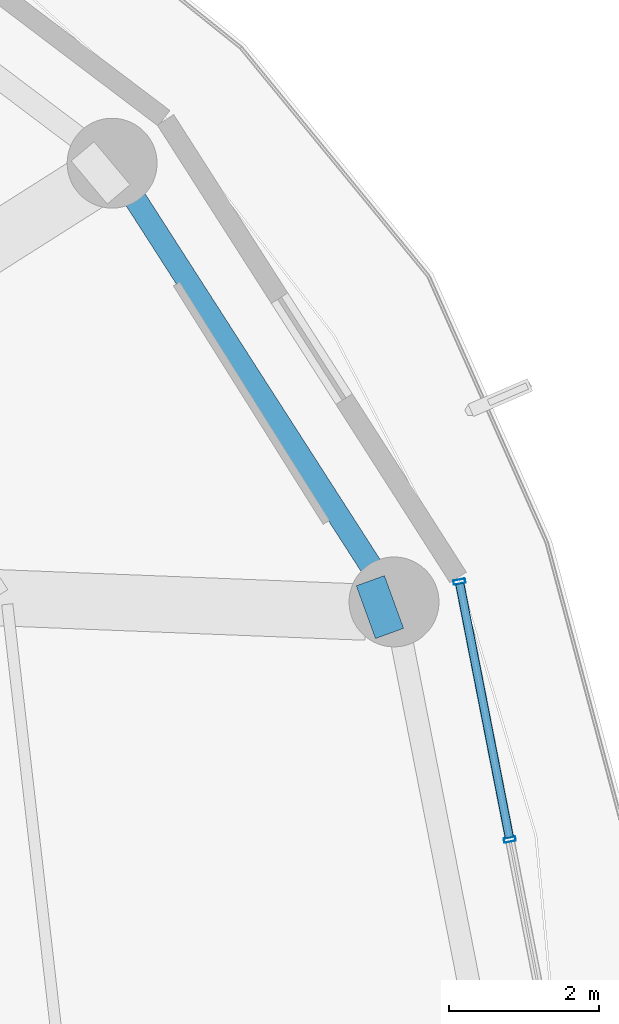
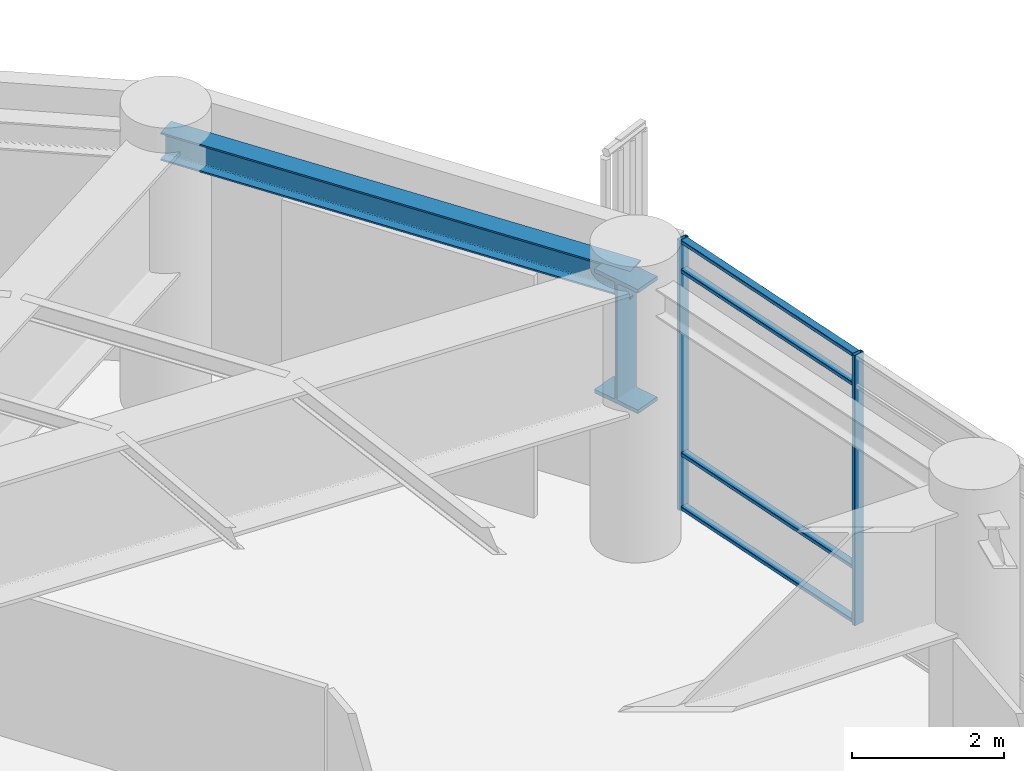
# One storey, part 15 of 28: 6 members, 2 beams, 1 element without a shape of its own.
"""IFC4 building model written with IfcOpenShell, lengths in metres."""

from ifc_helpers import new_model, si_unit, direction, frame, origin, origin_2d, place, context, subcontext, project, spatial, hollow_rectangle, i_section, extrude, material, layer, layer_set, material_profile, profile_set, type_object, element, aggregate, save


model = new_model("IFC4")

# Units and contexts
model_context = context("Model", 3, precision=1e-05, world=origin(), true_north=direction((0.0, 1.0)))
body_context = subcontext(model_context, "Body", "Model", "MODEL_VIEW")
ifc_project = project(units=[si_unit("LENGTHUNIT", "METRE"), si_unit("AREAUNIT", "SQUARE_METRE"), si_unit("VOLUMEUNIT", "CUBIC_METRE"), si_unit("PLANEANGLEUNIT", "RADIAN"), si_unit("MASSUNIT", "GRAM", prefix="KILO")], contexts=[model_context])

# Site, building, storey
site_placement = place(None, origin())
site = spatial("IfcSite", under=ifc_project, at=site_placement, CompositionType="ELEMENT")
building_placement = place(site_placement, origin())
building = spatial("IfcBuilding", under=site, at=building_placement, Name="Kelanora Arch Commons", CompositionType="ELEMENT")
storey_placement = place(building_placement, frame((0.0, 0.0, 184.35009765625)))
storey = spatial("IfcBuildingStorey", under=building, at=storey_placement, Name="L47", CompositionType="ELEMENT", Elevation=184.35009765625)

# Beams
ifc_material_1 = material(Name="Steel S355", Category="steel")
ifc_material_profile_1 = material_profile(ifc_material_1, i_section(OverallWidth=0.300048828125, OverallDepth=0.449951171875, WebThickness=0.013916015625, FlangeThickness=0.02587890625, FilletRadius=0.027099609375, at=origin_2d()), Name="HEB450")
ifc_profile_set_1 = profile_set([ifc_material_profile_1], Name="Steel S355")
beam_type_1 = type_object("IfcBeamType", Name="BM-SPN-Z3", PredefinedType="SPANDREL", material=ifc_profile_set_1)
beam_1_placement = place(storey_placement, frame((94.37255859375, 64.66259765625, 4.135009765625), z_axis=(-0.540576852469, 0.841294637196, 0.0), x_axis=(-0.841294637196, -0.540576852469, 0.0)))
element("IfcBeam", 1, at=beam_1_placement, inside=storey, type_object=beam_type_1, Name="Perimeter Spandrel Beam BS-02 L47", PredefinedType="SPANDREL", context=body_context, shape_type="SweptSolid", body=[
    extrude(i_section(OverallWidth=0.300048828125, OverallDepth=0.449951171875, WebThickness=0.013916015625, FlangeThickness=0.02587890625, FilletRadius=0.027099609375, at=origin_2d()), origin(), (0.0, 0.0, 1.0), 6.964111328125),
])
ifc_material_profile_2 = material_profile(ifc_material_1, i_section(OverallWidth=0.75, OverallDepth=2.0, WebThickness=0.034912109375, FlangeThickness=0.06005859375, FilletRadius=0.028076171875, at=origin_2d()), Name="PG2000x750")
ifc_profile_set_2 = profile_set([ifc_material_profile_2], Name="Steel S355")
beam_type_2 = type_object("IfcBeamType", Name="BM-XFER-SET", PredefinedType="USERDEFINED", material=ifc_profile_set_2)
beam_2_placement = place(storey_placement, frame((93.99658203125, 64.525634765625, 3.35986328125), z_axis=(0.939597315436, 0.342281879195, 0.0), x_axis=(-0.342281879195, 0.939597315436, 0.0)))
element("IfcBeam", 2, at=beam_2_placement, inside=storey, type_object=beam_type_2, Name="Radial Floor Girder BR-02 L47", ObjectType="TRANSFER_GIRDER", PredefinedType="USERDEFINED", context=body_context, shape_type="SweptSolid", body=[
    extrude(i_section(OverallWidth=0.75, OverallDepth=2.0, WebThickness=0.034912109375, FlangeThickness=0.06005859375, FilletRadius=0.028076171875, at=origin_2d()), origin(), (0.0, 0.0, 1.0), 0.400146484375),
])

# Curtain wall, members
ifc_material_2 = material(Name="Terracotta ceramic-fritted low-E glass and aluminium", Category="masonry")
ifc_layer = layer(ifc_material_2, 0.175048828125)
ifc_layer_set = layer_set([ifc_layer], Name="Terracotta ceramic-fritted low-E glass and aluminium")
curtain_wall_type = type_object("IfcCurtainWallType", Name="CW-SYS-02", PredefinedType="NOTDEFINED", material=ifc_layer_set)
curtain_wall_placement = place(storey_placement, origin())
curtain_wall = element("IfcCurtainWall", 3, at=curtain_wall_placement, inside=storey, type_object=curtain_wall_type, Name="Unitised Curtain Wall L47-B00", PredefinedType="NOTDEFINED")
ifc_material_3 = material(Name="Powder-coated aluminium terracotta", Category="masonry")
ifc_material_profile_3 = material_profile(ifc_material_3, hollow_rectangle(XDim=0.159912109375, YDim=0.06005859375, WallThickness=0.0048828125, InnerFilletRadius=0.0048828125, OuterFilletRadius=0.010009765625, at=origin_2d()), Name="CWM160x60")
ifc_profile_set_3 = profile_set([ifc_material_profile_3], Name="Powder-coated aluminium terracotta")
member_type_1 = type_object("IfcMemberType", Name="CWM-STD", PredefinedType="MULLION", material=ifc_profile_set_3)
member_1_placement = place(storey_placement, frame((95.91845703125, 61.488525390625, 0.0), z_axis=(0.0, 0.0, 1.0), x_axis=(-0.981452557718, -0.191705182375, 0.0)))
member_1 = element("IfcMember", 4, at=member_1_placement, type_object=member_type_1, Name="CW-02 mullion 2", PredefinedType="MULLION", context=body_context, shape_type="SweptSolid", body=[
    extrude(hollow_rectangle(XDim=0.159912109375, YDim=0.06005859375, WallThickness=0.0048828125, InnerFilletRadius=0.0048828125, OuterFilletRadius=0.010009765625, at=origin_2d()), origin(), (0.0, 0.0, 1.0), 4.344970703125),
])
member_2_placement = place(storey_placement, frame((95.245849609375, 64.93310546875, 0.0), z_axis=(0.0, 0.0, 1.0), x_axis=(-0.981452557718, -0.191705182375, 0.0)))
member_2 = element("IfcMember", 5, at=member_2_placement, type_object=member_type_1, Name="CW-02 mullion 3", PredefinedType="MULLION", context=body_context, shape_type="SweptSolid", body=[
    extrude(hollow_rectangle(XDim=0.159912109375, YDim=0.06005859375, WallThickness=0.0048828125, InnerFilletRadius=0.0048828125, OuterFilletRadius=0.010009765625, at=origin_2d()), origin(), (0.0, 0.0, 1.0), 4.344970703125),
])
ifc_material_profile_4 = material_profile(ifc_material_3, hollow_rectangle(XDim=0.1201171875, YDim=0.06005859375, WallThickness=0.0048828125, InnerFilletRadius=0.0048828125, OuterFilletRadius=0.010009765625, at=origin_2d()), Name="CWT120x60")
ifc_profile_set_4 = profile_set([ifc_material_profile_4], Name="Powder-coated aluminium terracotta")
member_type_2 = type_object("IfcMemberType", Name="CWT-STD", PredefinedType="USERDEFINED", material=ifc_profile_set_4)
member_3_placement = place(storey_placement, frame((95.912841796875, 61.51806640625, 0.02978515625), z_axis=(-0.191731523726, 0.981447412147, 0.0), x_axis=(-0.981447412147, -0.191731523726, 0.0)))
member_3 = element("IfcMember", 6, at=member_3_placement, type_object=member_type_2, Name="CW-02 transom 2.1", ObjectType="TRANSOM", PredefinedType="USERDEFINED", context=body_context, shape_type="SweptSolid", body=[
    extrude(hollow_rectangle(XDim=0.1201171875, YDim=0.06005859375, WallThickness=0.0048828125, InnerFilletRadius=0.0048828125, OuterFilletRadius=0.010009765625, at=origin_2d()), origin(), (0.0, 0.0, 1.0), 3.449462890625),
])
member_4_placement = place(storey_placement, frame((95.912841796875, 61.51806640625, 0.89990234375), z_axis=(-0.191731523726, 0.981447412147, 0.0), x_axis=(-0.981447412147, -0.191731523726, 0.0)))
member_4 = element("IfcMember", 7, at=member_4_placement, type_object=member_type_2, Name="CW-02 transom 2.2", ObjectType="TRANSOM", PredefinedType="USERDEFINED", context=body_context, shape_type="SweptSolid", body=[
    extrude(hollow_rectangle(XDim=0.1201171875, YDim=0.06005859375, WallThickness=0.0048828125, InnerFilletRadius=0.0048828125, OuterFilletRadius=0.010009765625, at=origin_2d()), origin(), (0.0, 0.0, 1.0), 3.449462890625),
])
member_5_placement = place(storey_placement, frame((95.912841796875, 61.51806640625, 3.844970703125), z_axis=(-0.191731523726, 0.981447412147, 0.0), x_axis=(-0.981447412147, -0.191731523726, 0.0)))
member_5 = element("IfcMember", 8, at=member_5_placement, type_object=member_type_2, Name="CW-02 transom 2.3", ObjectType="TRANSOM", PredefinedType="USERDEFINED", context=body_context, shape_type="SweptSolid", body=[
    extrude(hollow_rectangle(XDim=0.1201171875, YDim=0.06005859375, WallThickness=0.0048828125, InnerFilletRadius=0.0048828125, OuterFilletRadius=0.010009765625, at=origin_2d()), origin(), (0.0, 0.0, 1.0), 3.449462890625),
])
member_6_placement = place(storey_placement, frame((95.912841796875, 61.51806640625, 4.31494140625), z_axis=(-0.191731523726, 0.981447412147, 0.0), x_axis=(-0.981447412147, -0.191731523726, 0.0)))
member_6 = element("IfcMember", 9, at=member_6_placement, type_object=member_type_2, Name="CW-02 transom 2.4", ObjectType="TRANSOM", PredefinedType="USERDEFINED", context=body_context, shape_type="SweptSolid", body=[
    extrude(hollow_rectangle(XDim=0.1201171875, YDim=0.06005859375, WallThickness=0.0048828125, InnerFilletRadius=0.0048828125, OuterFilletRadius=0.010009765625, at=origin_2d()), origin(), (0.0, 0.0, 1.0), 3.449462890625),
])
aggregate(curtain_wall, [member_1, member_2, member_3, member_4, member_5, member_6])

save(model, "model.ifc")
